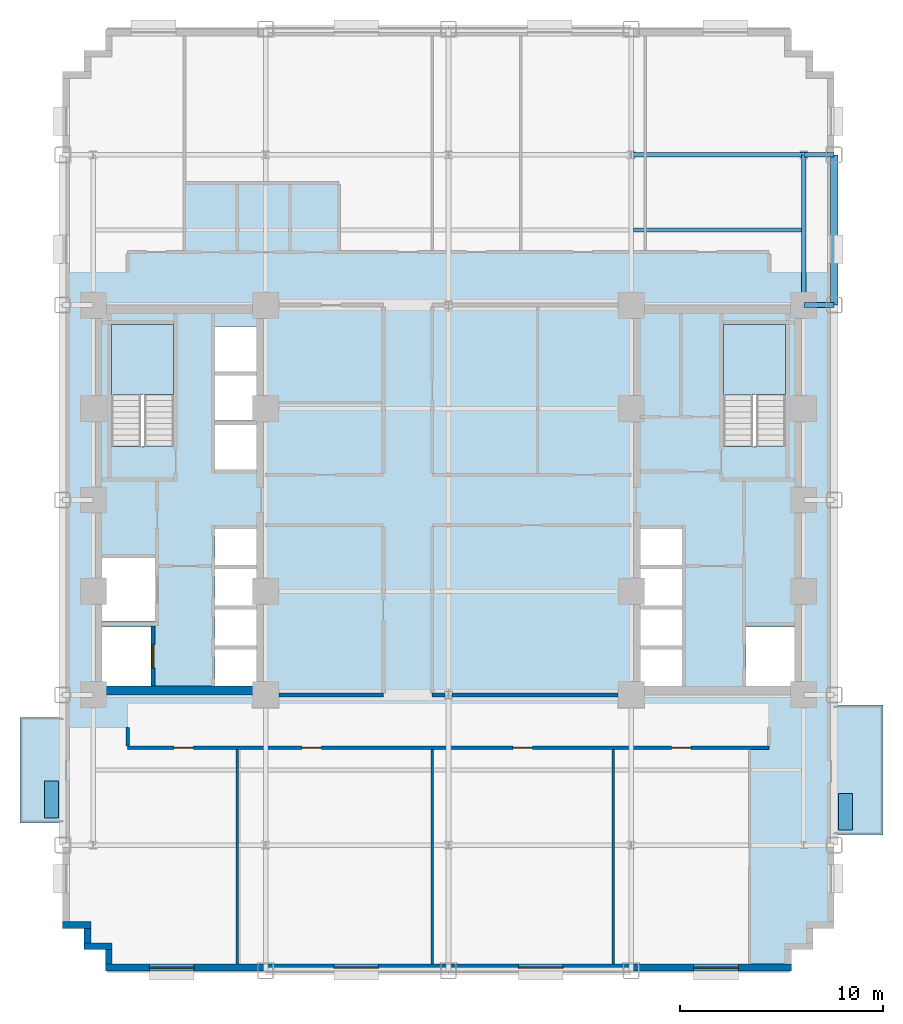
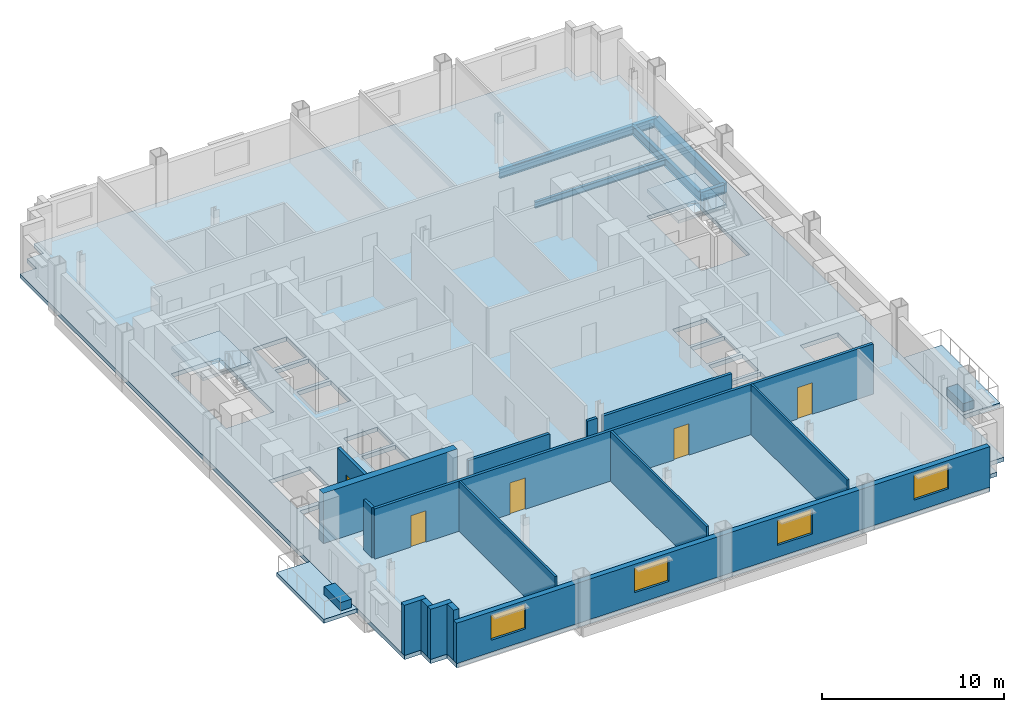
# One storey, part 4 of 12: 15 walls, 6 beams, 5 doors, 5 slabs, 4 windows, 2 plates, 9 openings, 2 elements without a shape of their own.
"""IFC4 building model written with IfcOpenShell, lengths in metres."""

from ifc_helpers import new_model, si_unit, direction, frame, frame_2d, origin, origin_2d, place, context, subcontext, project, spatial, polyline, rectangle, i_section, outline, extrude, source, transform, mapped, material, layer, layer_set, material_profile, profile_set, type_object, type_shapes, element, fill, aggregate, save


model = new_model("IFC4")

# Units and contexts
model_context = context("Model", 3, precision=1e-05, world=origin(), true_north=direction((0.0, 1.0)))
body_context = subcontext(model_context, "Body", "Model", "MODEL_VIEW")
ifc_project = project(units=[si_unit("LENGTHUNIT", "METRE"), si_unit("AREAUNIT", "SQUARE_METRE"), si_unit("VOLUMEUNIT", "CUBIC_METRE"), si_unit("PLANEANGLEUNIT", "RADIAN"), si_unit("MASSUNIT", "GRAM", prefix="KILO")], contexts=[model_context])

# Site, building, storey
site_placement = place(None, origin())
site = spatial("IfcSite", under=ifc_project, at=site_placement, CompositionType="ELEMENT")
building_placement = place(site_placement, origin())
building = spatial("IfcBuilding", under=site, at=building_placement, Name="Nuvemarco Arch Tower", CompositionType="ELEMENT")
storey_placement = place(building_placement, frame((0.0, 0.0, 42.199951171875)))
storey = spatial("IfcBuildingStorey", under=building, at=storey_placement, Name="L10", CompositionType="ELEMENT", Elevation=42.199951171875)

# Beams
ifc_material_1 = material(Name="Steel S355", Category="steel")
ifc_material_profile_1 = material_profile(ifc_material_1, i_section(OverallWidth=0.22998046875, OverallDepth=0.616943359375, WebThickness=0.01318359375, FlangeThickness=0.022216796875, FilletRadius=0.01611328125, at=origin_2d()), Name="W610x140")
ifc_profile_set_1 = profile_set([ifc_material_profile_1], Name="Steel S355")
beam_type_1 = type_object("IfcBeamType", Name="BM-GIRD-610", PredefinedType="BEAM", material=ifc_profile_set_1)
beam_1_placement = place(storey_placement, frame((17.5, 9.60009765625, -0.58837890625), z_axis=(0.0, 1.0, 0.0), x_axis=(-1.0, 0.0, 0.0)))
element("IfcBeam", 1, at=beam_1_placement, inside=storey, type_object=beam_type_1, Name="L10 structural beam BGNS_L10_0_+17.5_+9.6", PredefinedType="BEAM", context=body_context, shape_type="SweptSolid", body=[
    extrude(i_section(OverallWidth=0.22998046875, OverallDepth=0.616943359375, WebThickness=0.01318359375, FlangeThickness=0.022216796875, FilletRadius=0.01611328125, at=origin_2d()), origin(), (0.0, 0.0, 1.0), 7.39990234375),
])
beam_2_placement = place(storey_placement, frame((17.5, 9.60009765625, -0.58837890625), z_axis=(1.0, 0.0, 0.0), x_axis=(0.0, 1.0, 0.0)))
element("IfcBeam", 2, at=beam_2_placement, inside=storey, type_object=beam_type_1, Name="L10 structural beam BGEW_L10_0_+9.6_+17.5", PredefinedType="BEAM", context=body_context, shape_type="SweptSolid", body=[
    extrude(i_section(OverallWidth=0.22998046875, OverallDepth=0.616943359375, WebThickness=0.01318359375, FlangeThickness=0.022216796875, FilletRadius=0.01611328125, at=origin_2d()), origin(), (0.0, 0.0, 1.0), 1.5),
])
beam_3_placement = place(storey_placement, frame((9.0, 17.0, -0.58837890625), z_axis=(1.0, 0.0, 0.0), x_axis=(0.0, 1.0, 0.0)))
element("IfcBeam", 3, at=beam_3_placement, inside=storey, type_object=beam_type_1, Name="L10 structural beam BGEW_L10_0_+17.0_+9.0", PredefinedType="BEAM", context=body_context, shape_type="SweptSolid", body=[
    extrude(i_section(OverallWidth=0.22998046875, OverallDepth=0.616943359375, WebThickness=0.01318359375, FlangeThickness=0.022216796875, FilletRadius=0.01611328125, at=origin_2d()), origin(), (0.0, 0.0, 1.0), 8.5),
])
beam_4_placement = place(storey_placement, frame((17.5, 17.0, -0.58837890625), z_axis=(1.0, 0.0, 0.0), x_axis=(0.0, 1.0, 0.0)))
element("IfcBeam", 4, at=beam_4_placement, inside=storey, type_object=beam_type_1, Name="L10 structural beam BGEW_L10_0_+17.0_+17.5", PredefinedType="BEAM", context=body_context, shape_type="SweptSolid", body=[
    extrude(i_section(OverallWidth=0.22998046875, OverallDepth=0.616943359375, WebThickness=0.01318359375, FlangeThickness=0.022216796875, FilletRadius=0.01611328125, at=origin_2d()), origin(), (0.0, 0.0, 1.0), 1.5),
])
ifc_material_profile_2 = material_profile(ifc_material_1, i_section(OverallWidth=0.179931640625, OverallDepth=0.4130859375, WebThickness=0.009765625, FlangeThickness=0.01611328125, FilletRadius=0.014892578125, at=origin_2d()), Name="W410x75")
ifc_profile_set_2 = profile_set([ifc_material_profile_2], Name="Steel S355")
beam_type_2 = type_object("IfcBeamType", Name="BM-JOIST-410", PredefinedType="JOIST", material=ifc_profile_set_2)
beam_5_placement = place(storey_placement, frame((9.114990234375, 13.300048828125, -0.486572265625), z_axis=(1.0, 0.0, 0.0), x_axis=(0.0, 1.0, 0.0)))
element("IfcBeam", 5, at=beam_5_placement, inside=storey, type_object=beam_type_2, Name="L10 structural beam BJ_L10_0_+13.3_+9.0", PredefinedType="JOIST", context=body_context, shape_type="SweptSolid", body=[
    extrude(i_section(OverallWidth=0.179931640625, OverallDepth=0.4130859375, WebThickness=0.009765625, FlangeThickness=0.01611328125, FilletRadius=0.014892578125, at=origin_2d()), origin(), (0.0, 0.0, 1.0), 8.27001953125),
])
ifc_material_2 = material(Name="Precast concrete C45/55", Category="concrete")
ifc_material_profile_3 = material_profile(ifc_material_2, rectangle(XDim=0.35009765625, YDim=0.64990234375, at=origin_2d()), Name="PC-SP-350x650")
ifc_profile_set_3 = profile_set([ifc_material_profile_3], Name="Precast concrete C45/55")
beam_type_3 = type_object("IfcBeamType", Name="BM-SPAN-RC", PredefinedType="SPANDREL", material=ifc_profile_set_3)
beam_6_placement = place(storey_placement, frame((19.0, 9.60009765625, -0.60498046875), z_axis=(0.0, 1.0, 0.0), x_axis=(-1.0, 0.0, 0.0)))
element("IfcBeam", 6, at=beam_6_placement, inside=storey, type_object=beam_type_3, Name="L10 structural beam BGNS_L10_0_+19.0_+9.6", PredefinedType="SPANDREL", context=body_context, shape_type="SweptSolid", body=[
    extrude(rectangle(XDim=0.35009765625, YDim=0.64990234375, at=origin_2d()), origin(), (0.0, 0.0, 1.0), 7.39990234375),
])

# Slab
ifc_material_3 = material(Name="Concrete C50/60", Category="concrete")
ifc_layer_1 = layer(ifc_material_3, 0.280029296875, Name="SL-FLR-280")
ifc_layer_set_1 = layer_set([ifc_layer_1], Name="Concrete C50/60")
slab_type_1 = type_object("IfcSlabType", Name="SL-FLR-280", PredefinedType="FLOOR", material=ifc_layer_set_1)
slab_1_placement = place(storey_placement, frame((0.0, 0.0, -0.280029296875)))
element("IfcSlab", 7, at=slab_1_placement, inside=storey, type_object=slab_type_1, Name="L10 structural floor slab", PredefinedType="FLOOR", context=body_context, shape_type="SweptSolid", body=[
    extrude(outline(polyline([(-16.89990234375, -23.199951171875), (16.89990234375, -23.199951171875), (16.89990234375, -22.14990234375), (17.949951171875, -22.14990234375), (17.949951171875, -21.10009765625), (19.0, -21.10009765625), (19.0, 21.10009765625), (17.949951171875, 21.10009765625), (17.949951171875, 22.14990234375), (16.89990234375, 22.14990234375), (16.89990234375, 23.199951171875), (-16.89990234375, 23.199951171875), (-16.89990234375, 22.14990234375), (-17.949951171875, 22.14990234375), (-17.949951171875, 21.10009765625), (-19.0, 21.10009765625), (-19.0, -21.10009765625), (-17.949951171875, -21.10009765625), (-17.949951171875, -22.14990234375), (-16.89990234375, -22.14990234375), (-16.89990234375, -23.199951171875)]), holes=[polyline([(-13.5400390625, 2.669921875), (-13.5400390625, 8.64990234375), (-16.60009765625, 8.64990234375), (-16.60009765625, 2.630615234375), (-15.070068359375, 2.630615234375), (-15.070068359375, 2.669921875), (-13.5400390625, 2.669921875)]), polyline([(16.60009765625, 2.669921875), (16.60009765625, 8.64990234375), (13.5400390625, 8.64990234375), (13.5400390625, 2.630615234375), (15.070068359375, 2.630615234375), (15.070068359375, 2.669921875), (16.60009765625, 2.669921875)]), polyline([(-17.050048828125, -9.14990234375), (-14.64990234375, -9.14990234375), (-14.64990234375, -6.25), (-17.050048828125, -6.25), (-17.050048828125, -9.14990234375)]), polyline([(-17.050048828125, -5.949951171875), (-14.449951171875, -5.949951171875), (-14.449951171875, -2.85009765625), (-17.050048828125, -2.85009765625), (-17.050048828125, -5.949951171875)]), polyline([(-11.5, -9.14990234375), (-9.35009765625, -9.14990234375), (-9.35009765625, -7.3701171875), (-11.5, -7.3701171875), (-11.5, -9.14990234375)]), polyline([(-11.5, -7.169921875), (-9.35009765625, -7.169921875), (-9.35009765625, -5.389892578125), (-11.5, -5.389892578125), (-11.5, -7.169921875)]), polyline([(-11.5, -5.18994140625), (-9.35009765625, -5.18994140625), (-9.35009765625, -3.409912109375), (-11.5, -3.409912109375), (-11.5, -5.18994140625)]), polyline([(-11.5, -3.2099609375), (-9.35009765625, -3.2099609375), (-9.35009765625, -1.429931640625), (-11.5, -1.429931640625), (-11.5, -3.2099609375)]), polyline([(-11.5, 1.5), (-9.35009765625, 1.5), (-9.35009765625, 3.699951171875), (-11.5, 3.699951171875), (-11.5, 1.5)]), polyline([(-11.5, 3.919921875), (-9.35009765625, 3.919921875), (-9.35009765625, 6.1201171875), (-11.5, 6.1201171875), (-11.5, 3.919921875)]), polyline([(-11.5, 6.340087890625), (-9.35009765625, 6.340087890625), (-9.35009765625, 8.5400390625), (-11.5, 8.5400390625), (-11.5, 6.340087890625)]), polyline([(14.64990234375, -9.14990234375), (17.050048828125, -9.14990234375), (17.050048828125, -6.25), (14.64990234375, -6.25), (14.64990234375, -9.14990234375)]), polyline([(9.35009765625, -9.14990234375), (11.5, -9.14990234375), (11.5, -7.3701171875), (9.35009765625, -7.3701171875), (9.35009765625, -9.14990234375)]), polyline([(9.35009765625, -7.169921875), (11.5, -7.169921875), (11.5, -5.389892578125), (9.35009765625, -5.389892578125), (9.35009765625, -7.169921875)]), polyline([(9.35009765625, -5.18994140625), (11.5, -5.18994140625), (11.5, -3.409912109375), (9.35009765625, -3.409912109375), (9.35009765625, -5.18994140625)]), polyline([(9.35009765625, -3.2099609375), (11.5, -3.2099609375), (11.5, -1.429931640625), (9.35009765625, -1.429931640625), (9.35009765625, -3.2099609375)])]), origin(), (0.0, 0.0, 1.0), 0.280029296875),
])

# Stair, slab
stair_type = type_object("IfcStairType", Name="ST-CORE-20R", PredefinedType="HALF_TURN_STAIR", material=ifc_material_2)
stair_1_placement = place(storey_placement, origin())
stair_1 = element("IfcStair", 8, at=stair_1_placement, inside=storey, type_object=stair_type, Name="L10 Protected Exit Stair ST-1", PredefinedType="HALF_TURN_STAIR")
ifc_layer_2 = layer(ifc_material_2, 0.199951171875, Name="SL-LANDING-200")
ifc_layer_set_2 = layer_set([ifc_layer_2], Name="Precast concrete C45/55")
slab_type_2 = type_object("IfcSlabType", Name="SL-LANDING-200", PredefinedType="LANDING", material=ifc_layer_set_2)
slab_2_placement = place(storey_placement, frame((0.0, 0.0, 1.625)))
slab_2 = element("IfcSlab", 9, at=slab_2_placement, type_object=slab_type_2, Name="ST-20R landing 1", PredefinedType="LANDING", context=body_context, shape_type="SweptSolid", body=[
    extrude(outline(polyline([(-13.5400390625, 5.189453125), (-13.5400390625, 8.64990234375), (-16.60009765625, 8.64990234375), (-16.60009765625, 5.169921875), (-15.070068359375, 5.169921875), (-15.070068359375, 5.189453125), (-13.5400390625, 5.189453125)])), origin(), (0.0, 0.0, 1.0), 0.199951171875),
])
aggregate(stair_1, [slab_2])

stair_2_placement = place(storey_placement, origin())
stair_2 = element("IfcStair", 10, at=stair_2_placement, inside=storey, type_object=stair_type, Name="L10 Protected Exit Stair ST-2", PredefinedType="HALF_TURN_STAIR")
slab_3_placement = place(storey_placement, frame((0.0, 0.0, 1.625)))
slab_3 = element("IfcSlab", 11, at=slab_3_placement, type_object=slab_type_2, Name="ST-20R landing 1", PredefinedType="LANDING", context=body_context, shape_type="SweptSolid", body=[
    extrude(outline(polyline([(16.60009765625, 5.189453125), (16.60009765625, 8.64990234375), (13.5400390625, 8.64990234375), (13.5400390625, 5.169921875), (15.070068359375, 5.169921875), (15.070068359375, 5.189453125), (16.60009765625, 5.189453125)])), origin(), (0.0, 0.0, 1.0), 0.199951171875),
])
aggregate(stair_2, [slab_3])

# Slabs
ifc_layer_3 = layer(ifc_material_3, 0.264892578125, Name="SL-TB1")
ifc_layer_set_3 = layer_set([ifc_layer_3], Name="Concrete C50/60")
slab_type_3 = type_object("IfcSlabType", Name="SL-TB1", PredefinedType="FLOOR", material=ifc_layer_set_3)
slab_4_placement = place(storey_placement, frame((0.0, 0.0, -0.264892578125)))
element("IfcSlab", 12, at=slab_4_placement, inside=storey, type_object=slab_type_3, Name="L10 outdoor tree balcony slab 2", PredefinedType="FLOOR", context=body_context, shape_type="SweptSolid", body=[
    extrude(outline(polyline([(-21.10009765625, -15.89990234375), (-19.0, -15.89990234375), (-19.0, -10.699951171875), (-21.10009765625, -10.699951171875), (-21.10009765625, -15.89990234375)])), origin(), (0.0, 0.0, 1.0), 0.264892578125),
])
ifc_layer_4 = layer(ifc_material_3, 0.294921875, Name="SL-TR4")
ifc_layer_set_4 = layer_set([ifc_layer_4], Name="Concrete C50/60")
slab_type_4 = type_object("IfcSlabType", Name="SL-TR4", PredefinedType="FLOOR", material=ifc_layer_set_4)
slab_5_placement = place(storey_placement, frame((0.0, 0.0, -0.294921875)))
element("IfcSlab", 13, at=slab_5_placement, inside=storey, type_object=slab_type_4, Name="L10 outdoor spiral terrace slab 1", PredefinedType="FLOOR", context=body_context, shape_type="SweptSolid", body=[
    extrude(outline(polyline([(19.0, -16.5), (21.39990234375, -16.5), (21.39990234375, -10.10009765625), (19.0, -10.10009765625), (19.0, -16.5)])), origin(), (0.0, 0.0, 1.0), 0.294921875),
])

# Plates
ifc_layer_5 = layer(ifc_material_2, 0.550048828125, Name="Tree Balcony Structural Planter")
ifc_layer_set_5 = layer_set([ifc_layer_5], Name="Precast concrete C45/55")
plate_type = type_object("IfcPlateType", Name="Tree Balcony Structural Planter", PredefinedType="USERDEFINED", material=ifc_layer_set_5)
shared_shape_1 = source(origin(), body_context, "Body", "SweptSolid", [
    extrude(rectangle(XDim=1.800048828125, YDim=0.699951171875, at=origin_2d()), origin(), (0.0, 0.0, 1.0), 0.550048828125),
])
type_shapes(plate_type, [shared_shape_1])
for number, where, z_axis, x_axis, name in (
    (14, (19.550048828125, -15.35009765625, 0.0), (0.0, 0.0, 1.0), (0.0, 1.0, 0.0), "L10 Tree Balcony Structural Planter"),
    (15, (-19.550048828125, -14.75, 0.0), (0.0, 0.0, 1.0), (0.0, 1.0, 0.0), "L10 Tree Balcony Structural Planter"),
):
    element("IfcPlate", number, at=place(storey_placement, frame(where, z_axis=z_axis, x_axis=x_axis)), inside=storey, type_object=plate_type, Name=name, ObjectType="PLANTER", PredefinedType="USERDEFINED", context=body_context, shape_type="MappedRepresentation", body=[
        mapped(shared_shape_1, transform((0.0, 0.0, 0.0), scale=1.0)),
    ])

# Wall, openings, windows
ifc_layer_6 = layer(ifc_material_2, 0.340087890625, Name="EW-LOW-340")
ifc_layer_set_6 = layer_set([ifc_layer_6], Name="Precast concrete C45/55")
wall_type_1 = type_object("IfcWallType", Name="EW-LOW-340", PredefinedType="STANDARD", material=ifc_layer_set_6)
wall_1_placement = place(storey_placement, frame((-16.89990234375, -23.030029296875, 0.0), z_axis=(0.0, 0.0, 1.0), x_axis=(1.0, 0.0, 0.0)))
wall_1 = element("IfcWall", 16, at=wall_1_placement, inside=storey, type_object=wall_type_1, Name="L10 exterior precast facade wall 1", PredefinedType="STANDARD", context=body_context, shape_type="SweptSolid", body=[
    extrude(rectangle(XDim=33.7998046875, YDim=0.340087890625, at=frame_2d((16.89990234375, 0.0))), origin(), (0.0, 0.0, 1.0), 2.705078125),
])
opening_1_placement = place(wall_1_placement, frame((2.17138671875, 0.0, 0.800048828125)))
opening_1 = element("IfcOpeningElement", 17, at=opening_1_placement, cuts=wall_1, Name="Opening WN-3", PredefinedType="OPENING", context=body_context, shape_type="SweptSolid", body=[
    extrude(rectangle(XDim=2.199951171875, YDim=1.64990234375, at=frame_2d((1.10009765625, 0.824951171875))), frame((0.0, 0.179931640625, 0.0), z_axis=(0.0, -1.0, 0.0), x_axis=(1.0, 0.0, 0.0)), (0.0, 0.0, 1.0), 0.360107421875),
])
opening_2_placement = place(wall_1_placement, frame((11.257080078125, 0.0, 0.800048828125)))
opening_2 = element("IfcOpeningElement", 18, at=opening_2_placement, cuts=wall_1, Name="Opening WN-3", PredefinedType="OPENING", context=body_context, shape_type="SweptSolid", body=[
    extrude(rectangle(XDim=2.199951171875, YDim=1.64990234375, at=frame_2d((1.10009765625, 0.824951171875))), frame((0.0, 0.179931640625, 0.0), z_axis=(0.0, -1.0, 0.0), x_axis=(1.0, 0.0, 0.0)), (0.0, 0.0, 1.0), 0.360107421875),
])
opening_3_placement = place(wall_1_placement, frame((20.343017578125, 0.0, 0.800048828125)))
opening_3 = element("IfcOpeningElement", 19, at=opening_3_placement, cuts=wall_1, Name="Opening WN-3", PredefinedType="OPENING", context=body_context, shape_type="SweptSolid", body=[
    extrude(rectangle(XDim=2.199951171875, YDim=1.64990234375, at=frame_2d((1.10009765625, 0.824951171875))), frame((0.0, 0.179931640625, 0.0), z_axis=(0.0, -1.0, 0.0), x_axis=(1.0, 0.0, 0.0)), (0.0, 0.0, 1.0), 0.360107421875),
])
opening_4_placement = place(wall_1_placement, frame((28.978515625, 0.0, 0.800048828125)))
opening_4 = element("IfcOpeningElement", 20, at=opening_4_placement, cuts=wall_1, Name="Opening WN-3", PredefinedType="OPENING", context=body_context, shape_type="SweptSolid", body=[
    extrude(rectangle(XDim=2.199951171875, YDim=1.64990234375, at=frame_2d((1.10009765625, 0.824951171875))), frame((0.0, 0.179931640625, 0.0), z_axis=(0.0, -1.0, 0.0), x_axis=(1.0, 0.0, 0.0)), (0.0, 0.0, 1.0), 0.360107421875),
])
ifc_material_4 = material(Name="Insulated solar-control glass", Category="glass")
window_type = type_object("IfcWindowType", Name="WN-LOW-2200x1650", PartitioningType="DOUBLE_PANEL_VERTICAL", PredefinedType="WINDOW", material=ifc_material_4)
shared_shape_2 = source(origin(), body_context, "Body", "SweptSolid", [
    extrude(rectangle(XDim=2.199951171875, YDim=1.64990234375, at=frame_2d((1.10009765625, 0.824951171875))), frame((0.0, 0.030029296875, 0.0), z_axis=(0.0, -1.0, 0.0), x_axis=(1.0, 0.0, 0.0)), (0.0, 0.0, 1.0), 0.06005859375),
])
type_shapes(window_type, [shared_shape_2])
window_1_placement = place(opening_1_placement, origin())
window_1 = element("IfcWindow", 21, at=window_1_placement, inside=storey, type_object=window_type, Name="L10 punched facade window 1", OverallHeight=1.64990234375, OverallWidth=2.199951171875, PartitioningType="SINGLE_PANEL", PredefinedType="WINDOW", context=body_context, shape_type="MappedRepresentation", body=[
    mapped(shared_shape_2, transform((0.0, 0.0, 0.0), scale=1.0)),
])
fill(opening_1, window_1)
window_2_placement = place(opening_2_placement, origin())
window_2 = element("IfcWindow", 22, at=window_2_placement, inside=storey, type_object=window_type, Name="L10 punched facade window 3", OverallHeight=1.64990234375, OverallWidth=2.199951171875, PartitioningType="SINGLE_PANEL", PredefinedType="WINDOW", context=body_context, shape_type="MappedRepresentation", body=[
    mapped(shared_shape_2, transform((0.0, 0.0, 0.0), scale=1.0)),
])
fill(opening_2, window_2)
window_3_placement = place(opening_3_placement, origin())
window_3 = element("IfcWindow", 23, at=window_3_placement, inside=storey, type_object=window_type, Name="L10 punched facade window 5", OverallHeight=1.64990234375, OverallWidth=2.199951171875, PartitioningType="SINGLE_PANEL", PredefinedType="WINDOW", context=body_context, shape_type="MappedRepresentation", body=[
    mapped(shared_shape_2, transform((0.0, 0.0, 0.0), scale=1.0)),
])
fill(opening_3, window_3)
window_4_placement = place(opening_4_placement, origin())
window_4 = element("IfcWindow", 24, at=window_4_placement, inside=storey, type_object=window_type, Name="L10 punched facade window 7", OverallHeight=1.64990234375, OverallWidth=2.199951171875, PartitioningType="SINGLE_PANEL", PredefinedType="WINDOW", context=body_context, shape_type="MappedRepresentation", body=[
    mapped(shared_shape_2, transform((0.0, 0.0, 0.0), scale=1.0)),
])
fill(opening_4, window_4)

# Walls
wall_2_placement = place(storey_placement, frame((-19.0, -20.929931640625, 0.0), z_axis=(0.0, 0.0, 1.0), x_axis=(1.0, 0.0, 0.0)))
element("IfcWall", 25, at=wall_2_placement, inside=storey, type_object=wall_type_1, Name="L10 exterior precast facade wall 17", PredefinedType="STANDARD", context=body_context, shape_type="SweptSolid", body=[
    extrude(rectangle(XDim=1.389892578125, YDim=0.340087890625, at=frame_2d((0.69482421875, 0.0))), origin(), (0.0, 0.0, 1.0), 3.360107421875),
])
wall_3_placement = place(storey_placement, frame((-17.780029296875, -21.81396484375, 0.0), z_axis=(0.0, 0.0, 1.0), x_axis=(0.0, 1.0, 0.0)))
element("IfcWall", 26, at=wall_3_placement, inside=storey, type_object=wall_type_1, Name="L10 exterior precast facade wall 18", PredefinedType="STANDARD", context=body_context, shape_type="SweptSolid", body=[
    extrude(rectangle(XDim=0.718017578125, YDim=0.340087890625, at=frame_2d((0.35888671875, 0.0))), origin(), (0.0, 0.0, 1.0), 3.360107421875),
])
wall_4_placement = place(storey_placement, frame((-17.949951171875, -21.97998046875, 0.0), z_axis=(0.0, 0.0, 1.0), x_axis=(1.0, 0.0, 0.0)))
element("IfcWall", 27, at=wall_4_placement, inside=storey, type_object=wall_type_1, Name="L10 exterior precast facade wall 19", PredefinedType="STANDARD", context=body_context, shape_type="SweptSolid", body=[
    extrude(rectangle(XDim=1.389892578125, YDim=0.340087890625, at=frame_2d((0.69482421875, 0.0))), origin(), (0.0, 0.0, 1.0), 3.360107421875),
])
wall_5_placement = place(storey_placement, frame((-16.72998046875, -22.864013671875, 0.0), z_axis=(0.0, 0.0, 1.0), x_axis=(0.0, 1.0, 0.0)))
element("IfcWall", 28, at=wall_5_placement, inside=storey, type_object=wall_type_1, Name="L10 exterior precast facade wall 20", PredefinedType="STANDARD", context=body_context, shape_type="SweptSolid", body=[
    extrude(rectangle(XDim=0.718017578125, YDim=0.340087890625, at=frame_2d((0.35888671875, 0.0))), origin(), (0.0, 0.0, 1.0), 3.360107421875),
])
ifc_material_5 = material(Name="Concrete C60/75", Category="concrete")
ifc_layer_7 = layer(ifc_material_5, 0.449951171875, Name="WL-CORE-450")
ifc_layer_set_7 = layer_set([ifc_layer_7], Name="Concrete C60/75")
wall_type_2 = type_object("IfcWallType", Name="WL-CORE-450", PredefinedType="SHEAR", material=ifc_layer_set_7)
wall_6_placement = place(storey_placement, frame((-17.5, -9.375, 0.0), z_axis=(0.0, 0.0, 1.0), x_axis=(1.0, 0.0, 0.0)))
element("IfcWall", 29, at=wall_6_placement, inside=storey, type_object=wall_type_2, Name="L10 W-core shear wall S", PredefinedType="SHEAR", context=body_context, shape_type="SweptSolid", body=[
    extrude(rectangle(XDim=8.5, YDim=0.449951171875, at=frame_2d((4.25, 0.0))), origin(), (0.0, 0.0, 1.0), 3.3701171875),
])

# Wall, openings, doors
ifc_material_6 = material(Name="Fire-rated gypsum drywall partition")
ifc_layer_8 = layer(ifc_material_6, 0.179931640625, Name="WL-CORR-180")
ifc_layer_set_8 = layer_set([ifc_layer_8], Name="Fire-rated gypsum drywall partition")
wall_type_3 = type_object("IfcWallType", Name="WL-CORR-180", PredefinedType="PARTITIONING", material=ifc_layer_set_8)
wall_7_placement = place(storey_placement, frame((-15.800048828125, -12.199951171875, 0.0), z_axis=(0.0, 0.0, 1.0), x_axis=(1.0, 0.0, 0.0)))
wall_7 = element("IfcWall", 30, at=wall_7_placement, inside=storey, type_object=wall_type_3, Name="L10 interior wall IW-L10-001", PredefinedType="PARTITIONING", context=body_context, shape_type="SweptSolid", body=[
    extrude(rectangle(XDim=31.60009765625, YDim=0.179931640625, at=frame_2d((15.800048828125, 0.0))), origin(), (0.0, 0.0, 1.0), 3.360107421875),
])
opening_5_placement = place(wall_7_placement, frame((18.97509765625, 0.0, 0.0)))
opening_5 = element("IfcOpeningElement", 31, at=opening_5_placement, cuts=wall_7, Name="Opening FD-5", PredefinedType="OPENING", context=body_context, shape_type="SweptSolid", body=[
    extrude(rectangle(XDim=0.9599609375, YDim=2.10009765625, at=frame_2d((0.47998046875, 1.050048828125))), frame((0.0, 0.099853515625, 0.0), z_axis=(0.0, -1.0, 0.0), x_axis=(1.0, 0.0, 0.0)), (0.0, 0.0, 1.0), 0.199951171875),
])
opening_6_placement = place(wall_7_placement, frame((8.590087890625, 0.0, 0.0)))
opening_6 = element("IfcOpeningElement", 32, at=opening_6_placement, cuts=wall_7, Name="Opening FD-5", PredefinedType="OPENING", context=body_context, shape_type="SweptSolid", body=[
    extrude(rectangle(XDim=0.9599609375, YDim=2.10009765625, at=frame_2d((0.47998046875, 1.050048828125))), frame((0.0, 0.099853515625, 0.0), z_axis=(0.0, -1.0, 0.0), x_axis=(1.0, 0.0, 0.0)), (0.0, 0.0, 1.0), 0.199951171875),
])
opening_7_placement = place(wall_7_placement, frame((26.794921875, 0.0, 0.0)))
opening_7 = element("IfcOpeningElement", 33, at=opening_7_placement, cuts=wall_7, Name="Opening FD-5", PredefinedType="OPENING", context=body_context, shape_type="SweptSolid", body=[
    extrude(rectangle(XDim=0.9599609375, YDim=2.10009765625, at=frame_2d((0.47998046875, 1.050048828125))), frame((0.0, 0.099853515625, 0.0), z_axis=(0.0, -1.0, 0.0), x_axis=(1.0, 0.0, 0.0)), (0.0, 0.0, 1.0), 0.199951171875),
])
opening_8_placement = place(wall_7_placement, frame((2.2900390625, 0.0, 0.0)))
opening_8 = element("IfcOpeningElement", 34, at=opening_8_placement, cuts=wall_7, Name="Opening FD-5", PredefinedType="OPENING", context=body_context, shape_type="SweptSolid", body=[
    extrude(rectangle(XDim=0.9599609375, YDim=2.10009765625, at=frame_2d((0.47998046875, 1.050048828125))), frame((0.0, 0.099853515625, 0.0), z_axis=(0.0, -1.0, 0.0), x_axis=(1.0, 0.0, 0.0)), (0.0, 0.0, 1.0), 0.199951171875),
])
ifc_material_7 = material(Name="Timber fire door", Category="wood")
door_type_1 = type_object("IfcDoorType", Name="DR-CORR-FD", OperationType="NOTDEFINED", PredefinedType="DOOR", material=ifc_material_7)
shared_shape_3 = source(origin(), body_context, "Body", "SweptSolid", [
    extrude(rectangle(XDim=0.9599609375, YDim=2.10009765625, at=frame_2d((0.47998046875, 1.050048828125))), frame((0.0, 0.02490234375, 0.0), z_axis=(0.0, -1.0, 0.0), x_axis=(1.0, 0.0, 0.0)), (0.0, 0.0, 1.0), 0.050048828125),
])
type_shapes(door_type_1, [shared_shape_3])
door_1_placement = place(opening_5_placement, origin())
door_1 = element("IfcDoor", 35, at=door_1_placement, inside=storey, type_object=door_type_1, Name="L10 door DR-L10-S_3", OperationType="SINGLE_SWING_RIGHT", OverallHeight=2.10009765625, OverallWidth=0.9599609375, PredefinedType="DOOR", context=body_context, shape_type="MappedRepresentation", body=[
    mapped(shared_shape_3, transform((0.0, 0.0, 0.0), scale=1.0)),
])
fill(opening_5, door_1)
door_2_placement = place(opening_6_placement, origin())
door_2 = element("IfcDoor", 36, at=door_2_placement, inside=storey, type_object=door_type_1, Name="L10 door DR-L10-S_2", OperationType="SINGLE_SWING_LEFT", OverallHeight=2.10009765625, OverallWidth=0.9599609375, PredefinedType="DOOR", context=body_context, shape_type="MappedRepresentation", body=[
    mapped(shared_shape_3, transform((0.0, 0.0, 0.0), scale=1.0)),
])
fill(opening_6, door_2)
door_3_placement = place(opening_7_placement, origin())
door_3 = element("IfcDoor", 37, at=door_3_placement, inside=storey, type_object=door_type_1, Name="L10 door DR-L10-S_4", OperationType="SINGLE_SWING_RIGHT", OverallHeight=2.10009765625, OverallWidth=0.9599609375, PredefinedType="DOOR", context=body_context, shape_type="MappedRepresentation", body=[
    mapped(shared_shape_3, transform((0.0, 0.0, 0.0), scale=1.0)),
])
fill(opening_7, door_3)
door_4_placement = place(opening_8_placement, origin())
door_4 = element("IfcDoor", 38, at=door_4_placement, inside=storey, type_object=door_type_1, Name="L10 door DR-L10-S_1", OperationType="SINGLE_SWING_RIGHT", OverallHeight=2.10009765625, OverallWidth=0.9599609375, PredefinedType="DOOR", context=body_context, shape_type="MappedRepresentation", body=[
    mapped(shared_shape_3, transform((0.0, 0.0, 0.0), scale=1.0)),
])
fill(opening_8, door_4)

# Walls
wall_8_placement = place(storey_placement, frame((-8.35400390625, -9.60009765625, 0.0), z_axis=(0.0, 0.0, 1.0), x_axis=(1.0, 0.0, 0.0)))
element("IfcWall", 39, at=wall_8_placement, inside=storey, type_object=wall_type_3, Name="L10 interior wall IW-L10-002", PredefinedType="PARTITIONING", context=body_context, shape_type="SweptSolid", body=[
    extrude(rectangle(XDim=5.154052734375, YDim=0.179931640625, at=frame_2d((2.5771484375, 0.0))), origin(), (0.0, 0.0, 1.0), 2.405029296875),
])
wall_9_placement = place(storey_placement, frame((-0.800048828125, -9.60009765625, 0.0), z_axis=(0.0, 0.0, 1.0), x_axis=(1.0, 0.0, 0.0)))
element("IfcWall", 40, at=wall_9_placement, inside=storey, type_object=wall_type_3, Name="L10 interior wall IW-L10-003", PredefinedType="PARTITIONING", context=body_context, shape_type="SweptSolid", body=[
    extrude(rectangle(XDim=0.6240234375, YDim=0.179931640625, at=frame_2d((0.31201171875, 0.0))), origin(), (0.0, 0.0, 1.0), 2.405029296875),
])
wall_10_placement = place(storey_placement, frame((0.176025390625, -9.60009765625, 0.0), z_axis=(0.0, 0.0, 1.0), x_axis=(1.0, 0.0, 0.0)))
element("IfcWall", 41, at=wall_10_placement, inside=storey, type_object=wall_type_3, Name="L10 interior wall IW-L10-004", PredefinedType="PARTITIONING", context=body_context, shape_type="SweptSolid", body=[
    extrude(rectangle(XDim=8.177978515625, YDim=0.179931640625, at=frame_2d((4.0888671875, 0.0))), origin(), (0.0, 0.0, 1.0), 2.405029296875),
])
wall_11_placement = place(storey_placement, frame((-15.800048828125, -12.114013671875, 0.0), z_axis=(0.0, 0.0, 1.0), x_axis=(0.0, 1.0, 0.0)))
element("IfcWall", 42, at=wall_11_placement, inside=storey, type_object=wall_type_3, Name="L10 interior wall IW-L10-015", PredefinedType="PARTITIONING", context=body_context, shape_type="SweptSolid", body=[
    extrude(rectangle(XDim=0.9140625, YDim=0.179931640625, at=frame_2d((0.45703125, 0.0))), origin(), (0.0, 0.0, 1.0), 3.360107421875),
])
ifc_material_8 = material(Name="Glazed acoustic office partition")
ifc_layer_9 = layer(ifc_material_8, 0.1298828125, Name="WL-EXEC-130")
ifc_layer_set_9 = layer_set([ifc_layer_9], Name="Glazed acoustic office partition")
wall_type_4 = type_object("IfcWallType", Name="WL-EXEC-130", PredefinedType="PARTITIONING", material=ifc_layer_set_9)
for number, where, z_axis, x_axis, name in (
    (43, (-10.39990234375, -22.860107421875, 0.0), (0.0, 0.0, 1.0), (0.0, 1.0, 0.0), "L10 interior wall IW-L10-018"),
    (44, (-0.800048828125, -22.860107421875, 0.0), (0.0, 0.0, 1.0), (0.0, 1.0, 0.0), "L10 interior wall IW-L10-024"),
    (45, (8.110107421875, -22.860107421875, 0.0), (0.0, 0.0, 1.0), (0.0, 1.0, 0.0), "L10 interior wall IW-L10-030"),
):
    element("IfcWall", number, at=place(storey_placement, frame(where, z_axis=z_axis, x_axis=x_axis)), inside=storey, type_object=wall_type_4, Name=name, PredefinedType="PARTITIONING", context=body_context, shape_type="SweptSolid", body=[
        extrude(rectangle(XDim=10.57421875, YDim=0.1298828125, at=frame_2d((5.287109375, 0.0))), origin(), (0.0, 0.0, 1.0), 3.360107421875),
    ])

# Wall, opening, door
ifc_layer_10 = layer(ifc_material_3, 0.199951171875, Name="WL-SHAFT-220")
ifc_layer_set_10 = layer_set([ifc_layer_10], Name="Concrete C50/60")
wall_type_5 = type_object("IfcWallType", Name="WL-SHAFT-220", PredefinedType="SHEAR", material=ifc_layer_set_10)
wall_12_placement = place(storey_placement, frame((-14.550048828125, -9.155029296875, 0.0), z_axis=(0.0, 0.0, 1.0), x_axis=(0.0, 1.0, 0.0)))
wall_12 = element("IfcWall", 46, at=wall_12_placement, inside=storey, type_object=wall_type_5, Name="L10 structural shaft wall SW-L10-W-SHE", PredefinedType="SHEAR", context=body_context, shape_type="SweptSolid", body=[
    extrude(rectangle(XDim=2.9599609375, YDim=0.199951171875, at=frame_2d((1.47998046875, 0.0))), origin(), (0.0, 0.0, 1.0), 3.3701171875),
])
opening_9_placement = place(wall_12_placement, frame((0.8798828125, 0.0, 0.0)))
opening_9 = element("IfcOpeningElement", 47, at=opening_9_placement, cuts=wall_12, Name="Opening LD-2", PredefinedType="OPENING", context=body_context, shape_type="SweptSolid", body=[
    extrude(rectangle(XDim=1.14990234375, YDim=2.14990234375, at=frame_2d((0.574951171875, 1.074951171875))), frame((0.0, 0.10986328125, 0.0), z_axis=(0.0, -1.0, 0.0), x_axis=(1.0, 0.0, 0.0)), (0.0, 0.0, 1.0), 0.219970703125),
])
ifc_material_9 = material(Name="Stainless steel lift door", Category="steel")
door_type_2 = type_object("IfcDoorType", Name="DR-LIFT-FIRE", OperationType="DOUBLE_DOOR_SLIDING", PredefinedType="DOOR", material=ifc_material_9)
shared_shape_4 = source(origin(), body_context, "Body", "SweptSolid", [
    extrude(rectangle(XDim=1.14990234375, YDim=2.14990234375, at=frame_2d((0.574951171875, 1.074951171875))), frame((0.0, 0.02490234375, 0.0), z_axis=(0.0, -1.0, 0.0), x_axis=(1.0, 0.0, 0.0)), (0.0, 0.0, 1.0), 0.050048828125),
])
type_shapes(door_type_2, [shared_shape_4])
door_5_placement = place(opening_9_placement, origin())
door_5 = element("IfcDoor", 48, at=door_5_placement, inside=storey, type_object=door_type_2, Name="L10 Lift landing sliding door FFL-1", OperationType="DOUBLE_DOOR_SLIDING", OverallHeight=2.14990234375, OverallWidth=1.14990234375, PredefinedType="DOOR", context=body_context, shape_type="MappedRepresentation", body=[
    mapped(shared_shape_4, transform((0.0, 0.0, 0.0), scale=1.0)),
])
fill(opening_9, door_5)

save(model, "model.ifc")
